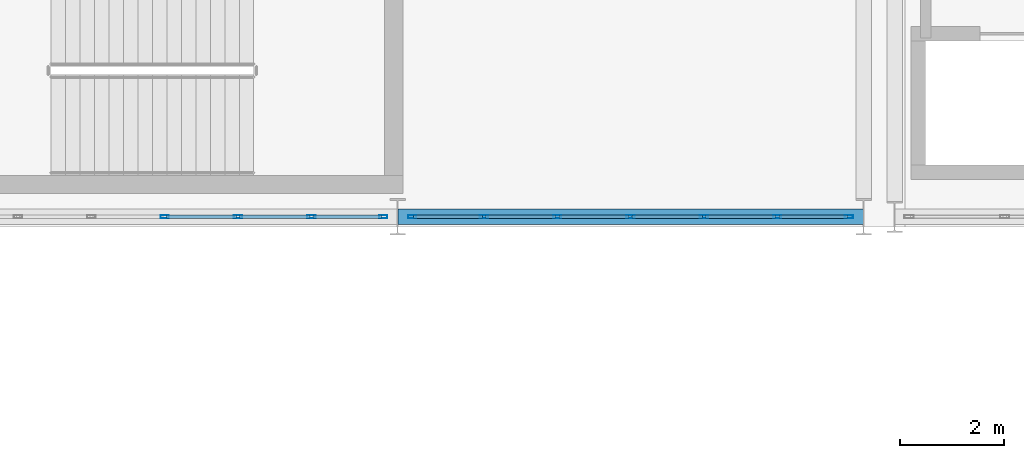
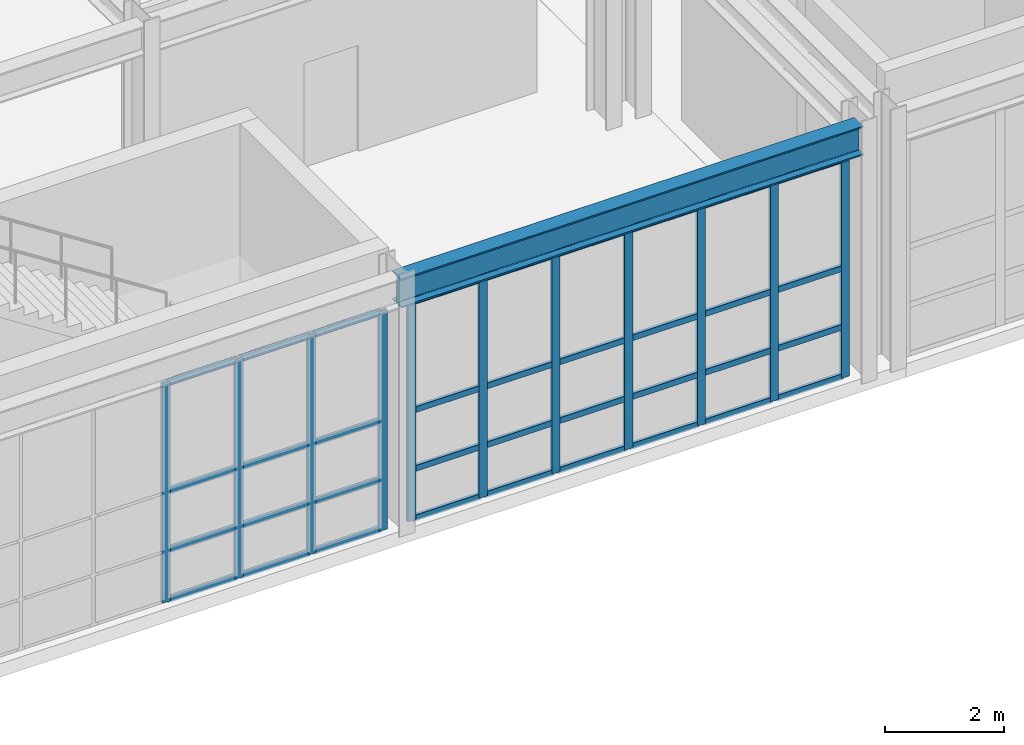
# One storey, part 64 of 210: 47 members, 1 beam, 2 elements without a shape of their own.
"""IFC4 building model written with IfcOpenShell, lengths in metres."""

from ifc_helpers import new_model, si_unit, direction, frame, origin, origin_2d, place, context, subcontext, project, spatial, hollow_rectangle, i_section, extrude, material, material_profile, profile_set, type_object, element, aggregate, save


model = new_model("IFC4")

# Units and contexts
model_context = context("Model", 3, precision=1e-05, world=origin(), true_north=direction((0.0, 1.0)))
body_context = subcontext(model_context, "Body", "Model", "MODEL_VIEW")
ifc_project = project(units=[si_unit("LENGTHUNIT", "METRE"), si_unit("AREAUNIT", "SQUARE_METRE"), si_unit("VOLUMEUNIT", "CUBIC_METRE"), si_unit("PLANEANGLEUNIT", "RADIAN"), si_unit("MASSUNIT", "GRAM", prefix="KILO")], contexts=[model_context])

# Site, building, storey
site_placement = place(None, origin())
site = spatial("IfcSite", under=ifc_project, at=site_placement, CompositionType="ELEMENT")
building_placement = place(site_placement, origin())
building = spatial("IfcBuilding", under=site, at=building_placement, Name="Kaldris Quays Convention Centre", CompositionType="ELEMENT")
storey_placement = place(building_placement, frame((0.0, 0.0, 6.0)))
storey = spatial("IfcBuildingStorey", under=building, at=storey_placement, Name="L01", CompositionType="ELEMENT", Elevation=6.0)

# Curtain wall, members
ifc_material_1 = material(Name="Anodized aluminium AW-6060 and triple glazing", Category="aluminium")
curtain_wall_type = type_object("IfcCurtainWallType", Name="UNITISED CURTAIN WALL CW04", PredefinedType="NOTDEFINED", material=ifc_material_1)
curtain_wall_1_placement = place(storey_placement, origin())
curtain_wall_1 = element("IfcCurtainWall", 1, at=curtain_wall_1_placement, inside=storey, type_object=curtain_wall_type, Name="L01 Unitised Curtain Wall CW04 112", PredefinedType="NOTDEFINED")
ifc_material_2 = material(Name="Anodized aluminium AW-6060", Category="aluminium")
ifc_material_profile_1 = material_profile(ifc_material_2, hollow_rectangle(XDim=0.06005859375, YDim=0.159912109375, WallThickness=0.00390625, at=origin_2d()), Name="RHS 160x60x4")
ifc_profile_set_1 = profile_set([ifc_material_profile_1], Name="Anodized aluminium AW-6060")
member_type_1 = type_object("IfcMemberType", Name="CURTAIN MULLION CWM1", PredefinedType="MULLION", material=ifc_profile_set_1)
member_1_placement = place(storey_placement, frame((132.5, 38.0, 0.0), z_axis=(0.0, 0.0, 1.0), x_axis=(0.0, 1.0, 0.0)))
member_1 = element("IfcMember", 2, at=member_1_placement, type_object=member_type_1, Name="CW04 mullion 4", PredefinedType="MULLION", context=body_context, shape_type="SweptSolid", body=[
    extrude(hollow_rectangle(XDim=0.06005859375, YDim=0.159912109375, WallThickness=0.00390625, at=origin_2d()), origin(), (0.0, 0.0, 1.0), 4.51806640625),
])
member_2_placement = place(storey_placement, frame((133.916748046875, 38.0, 0.0), z_axis=(0.0, 0.0, 1.0), x_axis=(0.0, 1.0, 0.0)))
member_2 = element("IfcMember", 3, at=member_2_placement, type_object=member_type_1, Name="CW04 mullion 5", PredefinedType="MULLION", context=body_context, shape_type="SweptSolid", body=[
    extrude(hollow_rectangle(XDim=0.06005859375, YDim=0.159912109375, WallThickness=0.00390625, at=origin_2d()), origin(), (0.0, 0.0, 1.0), 4.51806640625),
])
member_3_placement = place(storey_placement, frame((135.333251953125, 38.0, 0.0), z_axis=(0.0, 0.0, 1.0), x_axis=(0.0, 1.0, 0.0)))
member_3 = element("IfcMember", 4, at=member_3_placement, type_object=member_type_1, Name="CW04 mullion 6", PredefinedType="MULLION", context=body_context, shape_type="SweptSolid", body=[
    extrude(hollow_rectangle(XDim=0.06005859375, YDim=0.159912109375, WallThickness=0.00390625, at=origin_2d()), origin(), (0.0, 0.0, 1.0), 4.51806640625),
])
member_4_placement = place(storey_placement, frame((136.719970703125, 38.0, 0.0), z_axis=(0.0, 0.0, 1.0), x_axis=(0.0, 1.0, 0.0)))
member_4 = element("IfcMember", 5, at=member_4_placement, type_object=member_type_1, Name="CW04 mullion 7", PredefinedType="MULLION", context=body_context, shape_type="SweptSolid", body=[
    extrude(hollow_rectangle(XDim=0.06005859375, YDim=0.159912109375, WallThickness=0.00390625, at=origin_2d()), origin(), (0.0, 0.0, 1.0), 4.51806640625),
])

curtain_wall_2_placement = place(storey_placement, origin())
curtain_wall_2 = element("IfcCurtainWall", 6, at=curtain_wall_2_placement, inside=storey, type_object=curtain_wall_type, Name="L01 Unitised Curtain Wall CW04 113", PredefinedType="NOTDEFINED")
member_5_placement = place(storey_placement, frame((137.280029296875, 38.0, 0.0), z_axis=(0.0, 0.0, 1.0), x_axis=(0.0, 1.0, 0.0)))
member_5 = element("IfcMember", 7, at=member_5_placement, type_object=member_type_1, Name="CW04 mullion 1", PredefinedType="MULLION", context=body_context, shape_type="SweptSolid", body=[
    extrude(hollow_rectangle(XDim=0.06005859375, YDim=0.159912109375, WallThickness=0.00390625, at=origin_2d()), origin(), (0.0, 0.0, 1.0), 4.51806640625),
])
member_6_placement = place(storey_placement, frame((138.666748046875, 38.0, 0.0), z_axis=(0.0, 0.0, 1.0), x_axis=(0.0, 1.0, 0.0)))
member_6 = element("IfcMember", 8, at=member_6_placement, type_object=member_type_1, Name="CW04 mullion 2", PredefinedType="MULLION", context=body_context, shape_type="SweptSolid", body=[
    extrude(hollow_rectangle(XDim=0.06005859375, YDim=0.159912109375, WallThickness=0.00390625, at=origin_2d()), origin(), (0.0, 0.0, 1.0), 4.51806640625),
])
member_7_placement = place(storey_placement, frame((140.083251953125, 38.0, 0.0), z_axis=(0.0, 0.0, 1.0), x_axis=(0.0, 1.0, 0.0)))
member_7 = element("IfcMember", 9, at=member_7_placement, type_object=member_type_1, Name="CW04 mullion 3", PredefinedType="MULLION", context=body_context, shape_type="SweptSolid", body=[
    extrude(hollow_rectangle(XDim=0.06005859375, YDim=0.159912109375, WallThickness=0.00390625, at=origin_2d()), origin(), (0.0, 0.0, 1.0), 4.51806640625),
])
member_8_placement = place(storey_placement, frame((141.5, 38.0, 0.0), z_axis=(0.0, 0.0, 1.0), x_axis=(0.0, 1.0, 0.0)))
member_8 = element("IfcMember", 10, at=member_8_placement, type_object=member_type_1, Name="CW04 mullion 4", PredefinedType="MULLION", context=body_context, shape_type="SweptSolid", body=[
    extrude(hollow_rectangle(XDim=0.06005859375, YDim=0.159912109375, WallThickness=0.00390625, at=origin_2d()), origin(), (0.0, 0.0, 1.0), 4.51806640625),
])
member_9_placement = place(storey_placement, frame((142.916748046875, 38.0, 0.0), z_axis=(0.0, 0.0, 1.0), x_axis=(0.0, 1.0, 0.0)))
member_9 = element("IfcMember", 11, at=member_9_placement, type_object=member_type_1, Name="CW04 mullion 5", PredefinedType="MULLION", context=body_context, shape_type="SweptSolid", body=[
    extrude(hollow_rectangle(XDim=0.06005859375, YDim=0.159912109375, WallThickness=0.00390625, at=origin_2d()), origin(), (0.0, 0.0, 1.0), 4.51806640625),
])
member_10_placement = place(storey_placement, frame((144.333251953125, 38.0, 0.0), z_axis=(0.0, 0.0, 1.0), x_axis=(0.0, 1.0, 0.0)))
member_10 = element("IfcMember", 12, at=member_10_placement, type_object=member_type_1, Name="CW04 mullion 6", PredefinedType="MULLION", context=body_context, shape_type="SweptSolid", body=[
    extrude(hollow_rectangle(XDim=0.06005859375, YDim=0.159912109375, WallThickness=0.00390625, at=origin_2d()), origin(), (0.0, 0.0, 1.0), 4.51806640625),
])
member_11_placement = place(storey_placement, frame((145.719970703125, 38.0, 0.0), z_axis=(0.0, 0.0, 1.0), x_axis=(0.0, 1.0, 0.0)))
member_11 = element("IfcMember", 13, at=member_11_placement, type_object=member_type_1, Name="CW04 mullion 7", PredefinedType="MULLION", context=body_context, shape_type="SweptSolid", body=[
    extrude(hollow_rectangle(XDim=0.06005859375, YDim=0.159912109375, WallThickness=0.00390625, at=origin_2d()), origin(), (0.0, 0.0, 1.0), 4.51806640625),
])

# Member
ifc_material_profile_2 = material_profile(ifc_material_2, hollow_rectangle(XDim=0.06005859375, YDim=0.1201171875, WallThickness=0.00390625, at=origin_2d()), Name="RHS 120x60x4")
ifc_profile_set_2 = profile_set([ifc_material_profile_2], Name="Anodized aluminium AW-6060")
member_type_2 = type_object("IfcMemberType", Name="CURTAIN TRANSOM CWT1", PredefinedType="USERDEFINED", material=ifc_profile_set_2)
member_12_placement = place(storey_placement, frame((132.530029296875, 38.0, 0.030029296875), z_axis=(1.0, 0.0, 0.0), x_axis=(0.0, 1.0, 0.0)))
member_12 = element("IfcMember", 14, at=member_12_placement, type_object=member_type_2, Name="CW04 transom 4.1", ObjectType="TRANSOM", PredefinedType="USERDEFINED", context=body_context, shape_type="SweptSolid", body=[
    extrude(hollow_rectangle(XDim=0.06005859375, YDim=0.1201171875, WallThickness=0.00390625, at=origin_2d()), origin(), (0.0, 0.0, 1.0), 1.356689453125),
])

member_13_placement = place(storey_placement, frame((132.530029296875, 38.0, 1.050048828125), z_axis=(1.0, 0.0, 0.0), x_axis=(0.0, 1.0, 0.0)))
member_13 = element("IfcMember", 15, at=member_13_placement, type_object=member_type_2, Name="CW04 transom 4.2", ObjectType="TRANSOM", PredefinedType="USERDEFINED", context=body_context, shape_type="SweptSolid", body=[
    extrude(hollow_rectangle(XDim=0.06005859375, YDim=0.1201171875, WallThickness=0.00390625, at=origin_2d()), origin(), (0.0, 0.0, 1.0), 1.356689453125),
])

member_14_placement = place(storey_placement, frame((132.530029296875, 38.0, 2.259033203125), z_axis=(1.0, 0.0, 0.0), x_axis=(0.0, 1.0, 0.0)))
member_14 = element("IfcMember", 16, at=member_14_placement, type_object=member_type_2, Name="CW04 transom 4.3", ObjectType="TRANSOM", PredefinedType="USERDEFINED", context=body_context, shape_type="SweptSolid", body=[
    extrude(hollow_rectangle(XDim=0.06005859375, YDim=0.1201171875, WallThickness=0.00390625, at=origin_2d()), origin(), (0.0, 0.0, 1.0), 1.356689453125),
])

member_15_placement = place(storey_placement, frame((132.530029296875, 38.0, 4.488037109375), z_axis=(1.0, 0.0, 0.0), x_axis=(0.0, 1.0, 0.0)))
member_15 = element("IfcMember", 17, at=member_15_placement, type_object=member_type_2, Name="CW04 transom 4.4", ObjectType="TRANSOM", PredefinedType="USERDEFINED", context=body_context, shape_type="SweptSolid", body=[
    extrude(hollow_rectangle(XDim=0.06005859375, YDim=0.1201171875, WallThickness=0.00390625, at=origin_2d()), origin(), (0.0, 0.0, 1.0), 1.356689453125),
])

member_16_placement = place(storey_placement, frame((133.94677734375, 38.0, 0.030029296875), z_axis=(1.0, 0.0, 0.0), x_axis=(0.0, 1.0, 0.0)))
member_16 = element("IfcMember", 18, at=member_16_placement, type_object=member_type_2, Name="CW04 transom 5.1", ObjectType="TRANSOM", PredefinedType="USERDEFINED", context=body_context, shape_type="SweptSolid", body=[
    extrude(hollow_rectangle(XDim=0.06005859375, YDim=0.1201171875, WallThickness=0.00390625, at=origin_2d()), origin(), (0.0, 0.0, 1.0), 1.3564453125),
])

member_17_placement = place(storey_placement, frame((133.94677734375, 38.0, 1.050048828125), z_axis=(1.0, 0.0, 0.0), x_axis=(0.0, 1.0, 0.0)))
member_17 = element("IfcMember", 19, at=member_17_placement, type_object=member_type_2, Name="CW04 transom 5.2", ObjectType="TRANSOM", PredefinedType="USERDEFINED", context=body_context, shape_type="SweptSolid", body=[
    extrude(hollow_rectangle(XDim=0.06005859375, YDim=0.1201171875, WallThickness=0.00390625, at=origin_2d()), origin(), (0.0, 0.0, 1.0), 1.3564453125),
])

member_18_placement = place(storey_placement, frame((133.94677734375, 38.0, 2.259033203125), z_axis=(1.0, 0.0, 0.0), x_axis=(0.0, 1.0, 0.0)))
member_18 = element("IfcMember", 20, at=member_18_placement, type_object=member_type_2, Name="CW04 transom 5.3", ObjectType="TRANSOM", PredefinedType="USERDEFINED", context=body_context, shape_type="SweptSolid", body=[
    extrude(hollow_rectangle(XDim=0.06005859375, YDim=0.1201171875, WallThickness=0.00390625, at=origin_2d()), origin(), (0.0, 0.0, 1.0), 1.3564453125),
])

member_19_placement = place(storey_placement, frame((133.94677734375, 38.0, 4.488037109375), z_axis=(1.0, 0.0, 0.0), x_axis=(0.0, 1.0, 0.0)))
member_19 = element("IfcMember", 21, at=member_19_placement, type_object=member_type_2, Name="CW04 transom 5.4", ObjectType="TRANSOM", PredefinedType="USERDEFINED", context=body_context, shape_type="SweptSolid", body=[
    extrude(hollow_rectangle(XDim=0.06005859375, YDim=0.1201171875, WallThickness=0.00390625, at=origin_2d()), origin(), (0.0, 0.0, 1.0), 1.3564453125),
])

member_20_placement = place(storey_placement, frame((135.36328125, 38.0, 0.030029296875), z_axis=(1.0, 0.0, 0.0), x_axis=(0.0, 1.0, 0.0)))
member_20 = element("IfcMember", 22, at=member_20_placement, type_object=member_type_2, Name="CW04 transom 6.1", ObjectType="TRANSOM", PredefinedType="USERDEFINED", context=body_context, shape_type="SweptSolid", body=[
    extrude(hollow_rectangle(XDim=0.06005859375, YDim=0.1201171875, WallThickness=0.00390625, at=origin_2d()), origin(), (0.0, 0.0, 1.0), 1.32666015625),
])

member_21_placement = place(storey_placement, frame((135.36328125, 38.0, 1.050048828125), z_axis=(1.0, 0.0, 0.0), x_axis=(0.0, 1.0, 0.0)))
member_21 = element("IfcMember", 23, at=member_21_placement, type_object=member_type_2, Name="CW04 transom 6.2", ObjectType="TRANSOM", PredefinedType="USERDEFINED", context=body_context, shape_type="SweptSolid", body=[
    extrude(hollow_rectangle(XDim=0.06005859375, YDim=0.1201171875, WallThickness=0.00390625, at=origin_2d()), origin(), (0.0, 0.0, 1.0), 1.32666015625),
])

member_22_placement = place(storey_placement, frame((135.36328125, 38.0, 2.259033203125), z_axis=(1.0, 0.0, 0.0), x_axis=(0.0, 1.0, 0.0)))
member_22 = element("IfcMember", 24, at=member_22_placement, type_object=member_type_2, Name="CW04 transom 6.3", ObjectType="TRANSOM", PredefinedType="USERDEFINED", context=body_context, shape_type="SweptSolid", body=[
    extrude(hollow_rectangle(XDim=0.06005859375, YDim=0.1201171875, WallThickness=0.00390625, at=origin_2d()), origin(), (0.0, 0.0, 1.0), 1.32666015625),
])

member_23_placement = place(storey_placement, frame((135.36328125, 38.0, 4.488037109375), z_axis=(1.0, 0.0, 0.0), x_axis=(0.0, 1.0, 0.0)))
member_23 = element("IfcMember", 25, at=member_23_placement, type_object=member_type_2, Name="CW04 transom 6.4", ObjectType="TRANSOM", PredefinedType="USERDEFINED", context=body_context, shape_type="SweptSolid", body=[
    extrude(hollow_rectangle(XDim=0.06005859375, YDim=0.1201171875, WallThickness=0.00390625, at=origin_2d()), origin(), (0.0, 0.0, 1.0), 1.32666015625),
])

aggregate(curtain_wall_1, [member_1, member_2, member_3, member_4, member_12, member_13, member_14, member_15, member_16, member_17, member_18, member_19, member_20, member_21, member_22, member_23])

member_24_placement = place(storey_placement, frame((137.31005859375, 38.0, 0.030029296875), z_axis=(1.0, 0.0, 0.0), x_axis=(0.0, 1.0, 0.0)))
member_24 = element("IfcMember", 26, at=member_24_placement, type_object=member_type_2, Name="CW04 transom 1.1", ObjectType="TRANSOM", PredefinedType="USERDEFINED", context=body_context, shape_type="SweptSolid", body=[
    extrude(hollow_rectangle(XDim=0.06005859375, YDim=0.1201171875, WallThickness=0.00390625, at=origin_2d()), origin(), (0.0, 0.0, 1.0), 1.32666015625),
])

member_25_placement = place(storey_placement, frame((137.31005859375, 38.0, 1.050048828125), z_axis=(1.0, 0.0, 0.0), x_axis=(0.0, 1.0, 0.0)))
member_25 = element("IfcMember", 27, at=member_25_placement, type_object=member_type_2, Name="CW04 transom 1.2", ObjectType="TRANSOM", PredefinedType="USERDEFINED", context=body_context, shape_type="SweptSolid", body=[
    extrude(hollow_rectangle(XDim=0.06005859375, YDim=0.1201171875, WallThickness=0.00390625, at=origin_2d()), origin(), (0.0, 0.0, 1.0), 1.32666015625),
])

member_26_placement = place(storey_placement, frame((137.31005859375, 38.0, 2.259033203125), z_axis=(1.0, 0.0, 0.0), x_axis=(0.0, 1.0, 0.0)))
member_26 = element("IfcMember", 28, at=member_26_placement, type_object=member_type_2, Name="CW04 transom 1.3", ObjectType="TRANSOM", PredefinedType="USERDEFINED", context=body_context, shape_type="SweptSolid", body=[
    extrude(hollow_rectangle(XDim=0.06005859375, YDim=0.1201171875, WallThickness=0.00390625, at=origin_2d()), origin(), (0.0, 0.0, 1.0), 1.32666015625),
])

member_27_placement = place(storey_placement, frame((137.31005859375, 38.0, 4.488037109375), z_axis=(1.0, 0.0, 0.0), x_axis=(0.0, 1.0, 0.0)))
member_27 = element("IfcMember", 29, at=member_27_placement, type_object=member_type_2, Name="CW04 transom 1.4", ObjectType="TRANSOM", PredefinedType="USERDEFINED", context=body_context, shape_type="SweptSolid", body=[
    extrude(hollow_rectangle(XDim=0.06005859375, YDim=0.1201171875, WallThickness=0.00390625, at=origin_2d()), origin(), (0.0, 0.0, 1.0), 1.32666015625),
])

member_28_placement = place(storey_placement, frame((138.69677734375, 38.0, 0.030029296875), z_axis=(1.0, 0.0, 0.0), x_axis=(0.0, 1.0, 0.0)))
member_28 = element("IfcMember", 30, at=member_28_placement, type_object=member_type_2, Name="CW04 transom 2.1", ObjectType="TRANSOM", PredefinedType="USERDEFINED", context=body_context, shape_type="SweptSolid", body=[
    extrude(hollow_rectangle(XDim=0.06005859375, YDim=0.1201171875, WallThickness=0.00390625, at=origin_2d()), origin(), (0.0, 0.0, 1.0), 1.3564453125),
])

member_29_placement = place(storey_placement, frame((138.69677734375, 38.0, 1.050048828125), z_axis=(1.0, 0.0, 0.0), x_axis=(0.0, 1.0, 0.0)))
member_29 = element("IfcMember", 31, at=member_29_placement, type_object=member_type_2, Name="CW04 transom 2.2", ObjectType="TRANSOM", PredefinedType="USERDEFINED", context=body_context, shape_type="SweptSolid", body=[
    extrude(hollow_rectangle(XDim=0.06005859375, YDim=0.1201171875, WallThickness=0.00390625, at=origin_2d()), origin(), (0.0, 0.0, 1.0), 1.3564453125),
])

member_30_placement = place(storey_placement, frame((138.69677734375, 38.0, 2.259033203125), z_axis=(1.0, 0.0, 0.0), x_axis=(0.0, 1.0, 0.0)))
member_30 = element("IfcMember", 32, at=member_30_placement, type_object=member_type_2, Name="CW04 transom 2.3", ObjectType="TRANSOM", PredefinedType="USERDEFINED", context=body_context, shape_type="SweptSolid", body=[
    extrude(hollow_rectangle(XDim=0.06005859375, YDim=0.1201171875, WallThickness=0.00390625, at=origin_2d()), origin(), (0.0, 0.0, 1.0), 1.3564453125),
])

member_31_placement = place(storey_placement, frame((138.69677734375, 38.0, 4.488037109375), z_axis=(1.0, 0.0, 0.0), x_axis=(0.0, 1.0, 0.0)))
member_31 = element("IfcMember", 33, at=member_31_placement, type_object=member_type_2, Name="CW04 transom 2.4", ObjectType="TRANSOM", PredefinedType="USERDEFINED", context=body_context, shape_type="SweptSolid", body=[
    extrude(hollow_rectangle(XDim=0.06005859375, YDim=0.1201171875, WallThickness=0.00390625, at=origin_2d()), origin(), (0.0, 0.0, 1.0), 1.3564453125),
])

member_32_placement = place(storey_placement, frame((140.11328125, 38.0, 0.030029296875), z_axis=(1.0, 0.0, 0.0), x_axis=(0.0, 1.0, 0.0)))
member_32 = element("IfcMember", 34, at=member_32_placement, type_object=member_type_2, Name="CW04 transom 3.1", ObjectType="TRANSOM", PredefinedType="USERDEFINED", context=body_context, shape_type="SweptSolid", body=[
    extrude(hollow_rectangle(XDim=0.06005859375, YDim=0.1201171875, WallThickness=0.00390625, at=origin_2d()), origin(), (0.0, 0.0, 1.0), 1.356689453125),
])

member_33_placement = place(storey_placement, frame((140.11328125, 38.0, 1.050048828125), z_axis=(1.0, 0.0, 0.0), x_axis=(0.0, 1.0, 0.0)))
member_33 = element("IfcMember", 35, at=member_33_placement, type_object=member_type_2, Name="CW04 transom 3.2", ObjectType="TRANSOM", PredefinedType="USERDEFINED", context=body_context, shape_type="SweptSolid", body=[
    extrude(hollow_rectangle(XDim=0.06005859375, YDim=0.1201171875, WallThickness=0.00390625, at=origin_2d()), origin(), (0.0, 0.0, 1.0), 1.356689453125),
])

member_34_placement = place(storey_placement, frame((140.11328125, 38.0, 2.259033203125), z_axis=(1.0, 0.0, 0.0), x_axis=(0.0, 1.0, 0.0)))
member_34 = element("IfcMember", 36, at=member_34_placement, type_object=member_type_2, Name="CW04 transom 3.3", ObjectType="TRANSOM", PredefinedType="USERDEFINED", context=body_context, shape_type="SweptSolid", body=[
    extrude(hollow_rectangle(XDim=0.06005859375, YDim=0.1201171875, WallThickness=0.00390625, at=origin_2d()), origin(), (0.0, 0.0, 1.0), 1.356689453125),
])

member_35_placement = place(storey_placement, frame((140.11328125, 38.0, 4.488037109375), z_axis=(1.0, 0.0, 0.0), x_axis=(0.0, 1.0, 0.0)))
member_35 = element("IfcMember", 37, at=member_35_placement, type_object=member_type_2, Name="CW04 transom 3.4", ObjectType="TRANSOM", PredefinedType="USERDEFINED", context=body_context, shape_type="SweptSolid", body=[
    extrude(hollow_rectangle(XDim=0.06005859375, YDim=0.1201171875, WallThickness=0.00390625, at=origin_2d()), origin(), (0.0, 0.0, 1.0), 1.356689453125),
])

member_36_placement = place(storey_placement, frame((141.530029296875, 38.0, 0.030029296875), z_axis=(1.0, 0.0, 0.0), x_axis=(0.0, 1.0, 0.0)))
member_36 = element("IfcMember", 38, at=member_36_placement, type_object=member_type_2, Name="CW04 transom 4.1", ObjectType="TRANSOM", PredefinedType="USERDEFINED", context=body_context, shape_type="SweptSolid", body=[
    extrude(hollow_rectangle(XDim=0.06005859375, YDim=0.1201171875, WallThickness=0.00390625, at=origin_2d()), origin(), (0.0, 0.0, 1.0), 1.356689453125),
])

member_37_placement = place(storey_placement, frame((141.530029296875, 38.0, 1.050048828125), z_axis=(1.0, 0.0, 0.0), x_axis=(0.0, 1.0, 0.0)))
member_37 = element("IfcMember", 39, at=member_37_placement, type_object=member_type_2, Name="CW04 transom 4.2", ObjectType="TRANSOM", PredefinedType="USERDEFINED", context=body_context, shape_type="SweptSolid", body=[
    extrude(hollow_rectangle(XDim=0.06005859375, YDim=0.1201171875, WallThickness=0.00390625, at=origin_2d()), origin(), (0.0, 0.0, 1.0), 1.356689453125),
])

member_38_placement = place(storey_placement, frame((141.530029296875, 38.0, 2.259033203125), z_axis=(1.0, 0.0, 0.0), x_axis=(0.0, 1.0, 0.0)))
member_38 = element("IfcMember", 40, at=member_38_placement, type_object=member_type_2, Name="CW04 transom 4.3", ObjectType="TRANSOM", PredefinedType="USERDEFINED", context=body_context, shape_type="SweptSolid", body=[
    extrude(hollow_rectangle(XDim=0.06005859375, YDim=0.1201171875, WallThickness=0.00390625, at=origin_2d()), origin(), (0.0, 0.0, 1.0), 1.356689453125),
])

member_39_placement = place(storey_placement, frame((141.530029296875, 38.0, 4.488037109375), z_axis=(1.0, 0.0, 0.0), x_axis=(0.0, 1.0, 0.0)))
member_39 = element("IfcMember", 41, at=member_39_placement, type_object=member_type_2, Name="CW04 transom 4.4", ObjectType="TRANSOM", PredefinedType="USERDEFINED", context=body_context, shape_type="SweptSolid", body=[
    extrude(hollow_rectangle(XDim=0.06005859375, YDim=0.1201171875, WallThickness=0.00390625, at=origin_2d()), origin(), (0.0, 0.0, 1.0), 1.356689453125),
])

member_40_placement = place(storey_placement, frame((142.94677734375, 38.0, 0.030029296875), z_axis=(1.0, 0.0, 0.0), x_axis=(0.0, 1.0, 0.0)))
member_40 = element("IfcMember", 42, at=member_40_placement, type_object=member_type_2, Name="CW04 transom 5.1", ObjectType="TRANSOM", PredefinedType="USERDEFINED", context=body_context, shape_type="SweptSolid", body=[
    extrude(hollow_rectangle(XDim=0.06005859375, YDim=0.1201171875, WallThickness=0.00390625, at=origin_2d()), origin(), (0.0, 0.0, 1.0), 1.3564453125),
])

member_41_placement = place(storey_placement, frame((142.94677734375, 38.0, 1.050048828125), z_axis=(1.0, 0.0, 0.0), x_axis=(0.0, 1.0, 0.0)))
member_41 = element("IfcMember", 43, at=member_41_placement, type_object=member_type_2, Name="CW04 transom 5.2", ObjectType="TRANSOM", PredefinedType="USERDEFINED", context=body_context, shape_type="SweptSolid", body=[
    extrude(hollow_rectangle(XDim=0.06005859375, YDim=0.1201171875, WallThickness=0.00390625, at=origin_2d()), origin(), (0.0, 0.0, 1.0), 1.3564453125),
])

member_42_placement = place(storey_placement, frame((142.94677734375, 38.0, 2.259033203125), z_axis=(1.0, 0.0, 0.0), x_axis=(0.0, 1.0, 0.0)))
member_42 = element("IfcMember", 44, at=member_42_placement, type_object=member_type_2, Name="CW04 transom 5.3", ObjectType="TRANSOM", PredefinedType="USERDEFINED", context=body_context, shape_type="SweptSolid", body=[
    extrude(hollow_rectangle(XDim=0.06005859375, YDim=0.1201171875, WallThickness=0.00390625, at=origin_2d()), origin(), (0.0, 0.0, 1.0), 1.3564453125),
])

member_43_placement = place(storey_placement, frame((142.94677734375, 38.0, 4.488037109375), z_axis=(1.0, 0.0, 0.0), x_axis=(0.0, 1.0, 0.0)))
member_43 = element("IfcMember", 45, at=member_43_placement, type_object=member_type_2, Name="CW04 transom 5.4", ObjectType="TRANSOM", PredefinedType="USERDEFINED", context=body_context, shape_type="SweptSolid", body=[
    extrude(hollow_rectangle(XDim=0.06005859375, YDim=0.1201171875, WallThickness=0.00390625, at=origin_2d()), origin(), (0.0, 0.0, 1.0), 1.3564453125),
])

member_44_placement = place(storey_placement, frame((144.36328125, 38.0, 0.030029296875), z_axis=(1.0, 0.0, 0.0), x_axis=(0.0, 1.0, 0.0)))
member_44 = element("IfcMember", 46, at=member_44_placement, type_object=member_type_2, Name="CW04 transom 6.1", ObjectType="TRANSOM", PredefinedType="USERDEFINED", context=body_context, shape_type="SweptSolid", body=[
    extrude(hollow_rectangle(XDim=0.06005859375, YDim=0.1201171875, WallThickness=0.00390625, at=origin_2d()), origin(), (0.0, 0.0, 1.0), 1.32666015625),
])

member_45_placement = place(storey_placement, frame((144.36328125, 38.0, 1.050048828125), z_axis=(1.0, 0.0, 0.0), x_axis=(0.0, 1.0, 0.0)))
member_45 = element("IfcMember", 47, at=member_45_placement, type_object=member_type_2, Name="CW04 transom 6.2", ObjectType="TRANSOM", PredefinedType="USERDEFINED", context=body_context, shape_type="SweptSolid", body=[
    extrude(hollow_rectangle(XDim=0.06005859375, YDim=0.1201171875, WallThickness=0.00390625, at=origin_2d()), origin(), (0.0, 0.0, 1.0), 1.32666015625),
])

member_46_placement = place(storey_placement, frame((144.36328125, 38.0, 2.259033203125), z_axis=(1.0, 0.0, 0.0), x_axis=(0.0, 1.0, 0.0)))
member_46 = element("IfcMember", 48, at=member_46_placement, type_object=member_type_2, Name="CW04 transom 6.3", ObjectType="TRANSOM", PredefinedType="USERDEFINED", context=body_context, shape_type="SweptSolid", body=[
    extrude(hollow_rectangle(XDim=0.06005859375, YDim=0.1201171875, WallThickness=0.00390625, at=origin_2d()), origin(), (0.0, 0.0, 1.0), 1.32666015625),
])

member_47_placement = place(storey_placement, frame((144.36328125, 38.0, 4.488037109375), z_axis=(1.0, 0.0, 0.0), x_axis=(0.0, 1.0, 0.0)))
member_47 = element("IfcMember", 49, at=member_47_placement, type_object=member_type_2, Name="CW04 transom 6.4", ObjectType="TRANSOM", PredefinedType="USERDEFINED", context=body_context, shape_type="SweptSolid", body=[
    extrude(hollow_rectangle(XDim=0.06005859375, YDim=0.1201171875, WallThickness=0.00390625, at=origin_2d()), origin(), (0.0, 0.0, 1.0), 1.32666015625),
])

aggregate(curtain_wall_2, [member_5, member_6, member_7, member_8, member_9, member_10, member_11, member_24, member_25, member_26, member_27, member_28, member_29, member_30, member_31, member_32, member_33, member_34, member_35, member_36, member_37, member_38, member_39, member_40, member_41, member_42, member_43, member_44, member_45, member_46, member_47])

# Beam
ifc_material_3 = material(Name="Steel S355J2", Category="steel")
ifc_material_profile_3 = material_profile(ifc_material_3, i_section(OverallWidth=0.300048828125, OverallDepth=0.60009765625, WebThickness=0.015380859375, FlangeThickness=0.030029296875, FilletRadius=0.027099609375, at=origin_2d()), Name="HEB 600")
ifc_profile_set_3 = profile_set([ifc_material_profile_3], Name="Steel S355J2")
beam_type = type_object("IfcBeamType", Name="STRUCTURAL BEAM BM05", PredefinedType="BEAM", material=ifc_profile_set_3)
beam_placement = place(storey_placement, frame((137.00244140625, 38.0, 4.843017578125), z_axis=(1.0, 0.0, 0.0), x_axis=(0.0, 1.0, 0.0)))
element("IfcBeam", 50, at=beam_placement, inside=storey, type_object=beam_type, Name="L01 Girder BM05 7", PredefinedType="BEAM", context=body_context, shape_type="SweptSolid", body=[
    extrude(i_section(OverallWidth=0.300048828125, OverallDepth=0.60009765625, WebThickness=0.015380859375, FlangeThickness=0.030029296875, FilletRadius=0.027099609375, at=origin_2d()), origin(), (0.0, 0.0, 1.0), 8.9951171875),
])

save(model, "model.ifc")
